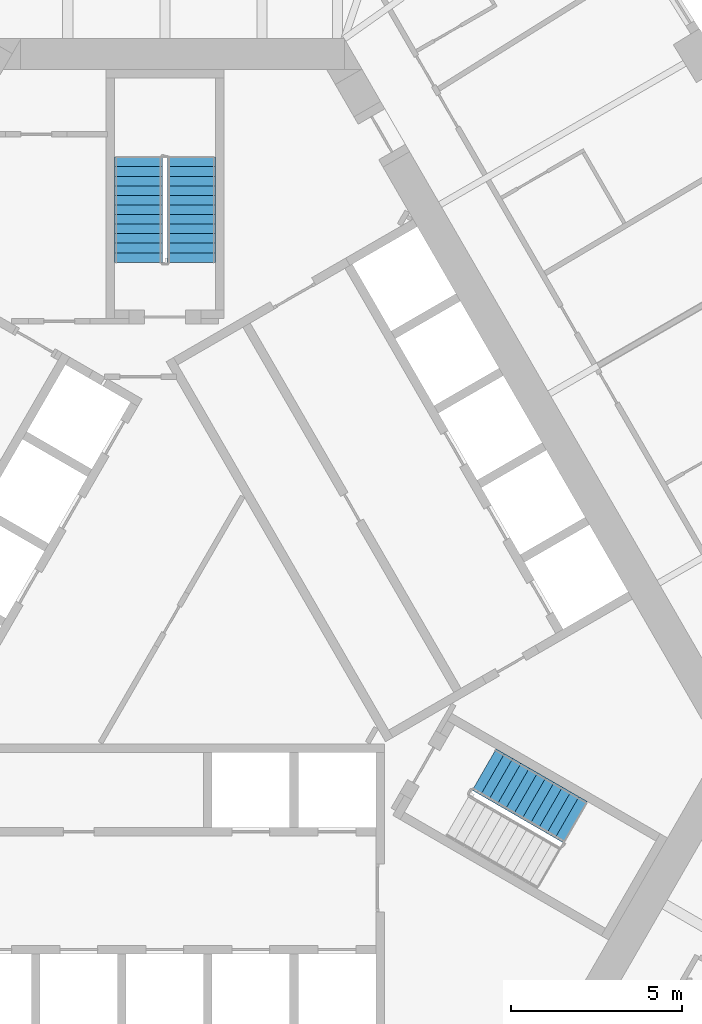
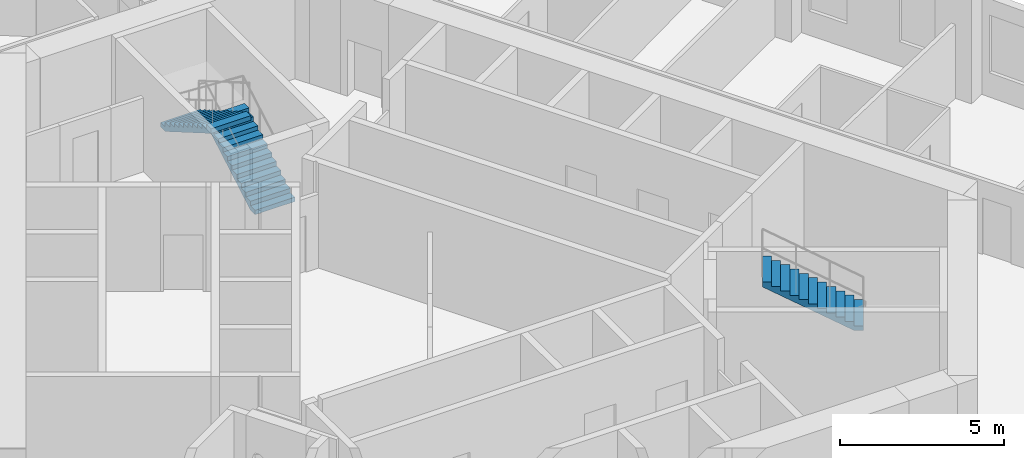
# One storey, part 12 of 13: 3 stair flights, 2 elements without a shape of their own.
"""IFC4 building model written with IfcOpenShell, lengths in metres."""

from ifc_helpers import new_model, si_unit, direction, frame, origin, place, context, subcontext, project, spatial, polyline, outline, extrude, material, type_object, element, aggregate, save


model = new_model("IFC4")

# Units and contexts
model_context = context("Model", 3, precision=1e-05, world=origin(), true_north=direction((0.0, 1.0)))
body_context = subcontext(model_context, "Body", "Model", "MODEL_VIEW")
ifc_project = project(units=[si_unit("LENGTHUNIT", "METRE"), si_unit("AREAUNIT", "SQUARE_METRE"), si_unit("VOLUMEUNIT", "CUBIC_METRE"), si_unit("PLANEANGLEUNIT", "RADIAN"), si_unit("MASSUNIT", "GRAM", prefix="KILO")], contexts=[model_context])

# Site, building, storey
site_placement = place(None, origin())
site = spatial("IfcSite", under=ifc_project, at=site_placement, CompositionType="ELEMENT")
building_placement = place(site_placement, origin())
building = spatial("IfcBuilding", under=site, at=building_placement, Name="Mestral Congress Tower", CompositionType="ELEMENT")
storey_placement = place(building_placement, frame((0.0, 0.0, 83.699951171875)))
storey = spatial("IfcBuildingStorey", under=building, at=storey_placement, Name="L19", CompositionType="ELEMENT", Elevation=83.699951171875)

# Stair, stair flight
ifc_material = material(Name="Concrete C60/75", Category="concrete")
stair_type = type_object("IfcStairType", Name="Exit stair 1400", PredefinedType="HALF_TURN_STAIR", material=ifc_material)
placement = place(storey_placement, origin())
stair_1 = element("IfcStair", 1, at=placement, inside=storey, type_object=stair_type, Name="L19 ST1", PredefinedType="HALF_TURN_STAIR")
stair_flight_type = type_object("IfcStairFlightType", Name="Exit stair flight 1400", PredefinedType="STRAIGHT", material=ifc_material)
stair_flight_1_placement = place(storey_placement, frame((12.018310546875, -6.0439453125, 1.949951171875), z_axis=(0.0, 0.0, 1.0), x_axis=(-0.866025403784, 0.5, 0.0)))
stair_flight_1 = element("IfcStairFlight", 2, at=stair_flight_1_placement, type_object=stair_flight_type, Name="ST1 flight 2", NumberOfRisers=12, NumberOfTreads=11, PredefinedType="STRAIGHT", RiserHeight=0.1625, TreadLength=0.28, context=body_context, shape_type="SweptSolid", body=[
    extrude(outline(polyline([(0.0, 0.0), (0.0, 0.16259765625), (0.280029296875, 0.16259765625), (0.280029296875, 0.324951171875), (0.56005859375, 0.324951171875), (0.56005859375, 0.487548828125), (0.840087890625, 0.487548828125), (0.840087890625, 0.64990234375), (1.1201171875, 0.64990234375), (1.1201171875, 0.8125), (1.39990234375, 0.8125), (1.39990234375, 0.97509765625), (1.679931640625, 0.97509765625), (1.679931640625, 1.137451171875), (1.9599609375, 1.137451171875), (1.9599609375, 1.300048828125), (2.239990234375, 1.300048828125), (2.239990234375, 1.46240234375), (2.52001953125, 1.46240234375), (2.52001953125, 1.625), (2.800048828125, 1.625), (2.800048828125, 1.78759765625), (3.080078125, 1.78759765625), (3.080078125, 1.949951171875), (3.080078125, 1.6142578125), (0.298583984375, 0.0), (0.0, 0.0)])), frame((0.0, 0.699951171875, 0.0), z_axis=(0.0, -1.0, 0.0), x_axis=(1.0, 0.0, 0.0)), (0.0, 0.0, 1.0), 1.39990234375),
])
aggregate(stair_1, [stair_flight_1])

# Stair, stair flights
stair_2 = element("IfcStair", 3, at=placement, inside=storey, type_object=stair_type, Name="L19 ST2", PredefinedType="HALF_TURN_STAIR")
stair_flight_2_placement = place(storey_placement, frame((0.77490234375, 10.35009765625, 0.0), z_axis=(0.0, 0.0, 1.0), x_axis=(0.0, 1.0, 0.0)))
stair_flight_2 = element("IfcStairFlight", 4, at=stair_flight_2_placement, type_object=stair_flight_type, Name="ST2 flight 1", NumberOfRisers=12, NumberOfTreads=11, PredefinedType="STRAIGHT", RiserHeight=0.1625, TreadLength=0.28, context=body_context, shape_type="SweptSolid", body=[
    extrude(outline(polyline([(0.0, 0.0), (0.0, 0.16259765625), (0.280029296875, 0.16259765625), (0.280029296875, 0.324951171875), (0.56005859375, 0.324951171875), (0.56005859375, 0.487548828125), (0.840087890625, 0.487548828125), (0.840087890625, 0.64990234375), (1.1201171875, 0.64990234375), (1.1201171875, 0.8125), (1.39990234375, 0.8125), (1.39990234375, 0.97509765625), (1.679931640625, 0.97509765625), (1.679931640625, 1.137451171875), (1.9599609375, 1.137451171875), (1.9599609375, 1.300048828125), (2.239990234375, 1.300048828125), (2.239990234375, 1.46240234375), (2.52001953125, 1.46240234375), (2.52001953125, 1.625), (2.800048828125, 1.625), (2.800048828125, 1.78759765625), (3.080078125, 1.78759765625), (3.080078125, 1.949951171875), (3.080078125, 1.6142578125), (0.298583984375, 0.0), (0.0, 0.0)])), frame((0.0, 0.699951171875, 0.0), z_axis=(0.0, -1.0, 0.0), x_axis=(1.0, 0.0, 0.0)), (0.0, 0.0, 1.0), 1.39990234375),
])
stair_flight_3_placement = place(storey_placement, frame((-0.77490234375, 13.429931640625, 1.949951171875), z_axis=(0.0, 0.0, 1.0), x_axis=(0.0, -1.0, 0.0)))
stair_flight_3 = element("IfcStairFlight", 5, at=stair_flight_3_placement, type_object=stair_flight_type, Name="ST2 flight 2", NumberOfRisers=12, NumberOfTreads=11, PredefinedType="STRAIGHT", RiserHeight=0.1625, TreadLength=0.28, context=body_context, shape_type="SweptSolid", body=[
    extrude(outline(polyline([(0.0, 0.0), (0.0, 0.16259765625), (0.280029296875, 0.16259765625), (0.280029296875, 0.324951171875), (0.56005859375, 0.324951171875), (0.56005859375, 0.487548828125), (0.840087890625, 0.487548828125), (0.840087890625, 0.64990234375), (1.1201171875, 0.64990234375), (1.1201171875, 0.8125), (1.39990234375, 0.8125), (1.39990234375, 0.97509765625), (1.679931640625, 0.97509765625), (1.679931640625, 1.137451171875), (1.9599609375, 1.137451171875), (1.9599609375, 1.300048828125), (2.239990234375, 1.300048828125), (2.239990234375, 1.46240234375), (2.52001953125, 1.46240234375), (2.52001953125, 1.625), (2.800048828125, 1.625), (2.800048828125, 1.78759765625), (3.080078125, 1.78759765625), (3.080078125, 1.949951171875), (3.080078125, 1.6142578125), (0.298583984375, 0.0), (0.0, 0.0)])), frame((0.0, 0.699951171875, 0.0), z_axis=(0.0, -1.0, 0.0), x_axis=(1.0, 0.0, 0.0)), (0.0, 0.0, 1.0), 1.39990234375),
])
aggregate(stair_2, [stair_flight_2, stair_flight_3])

save(model, "model.ifc")
